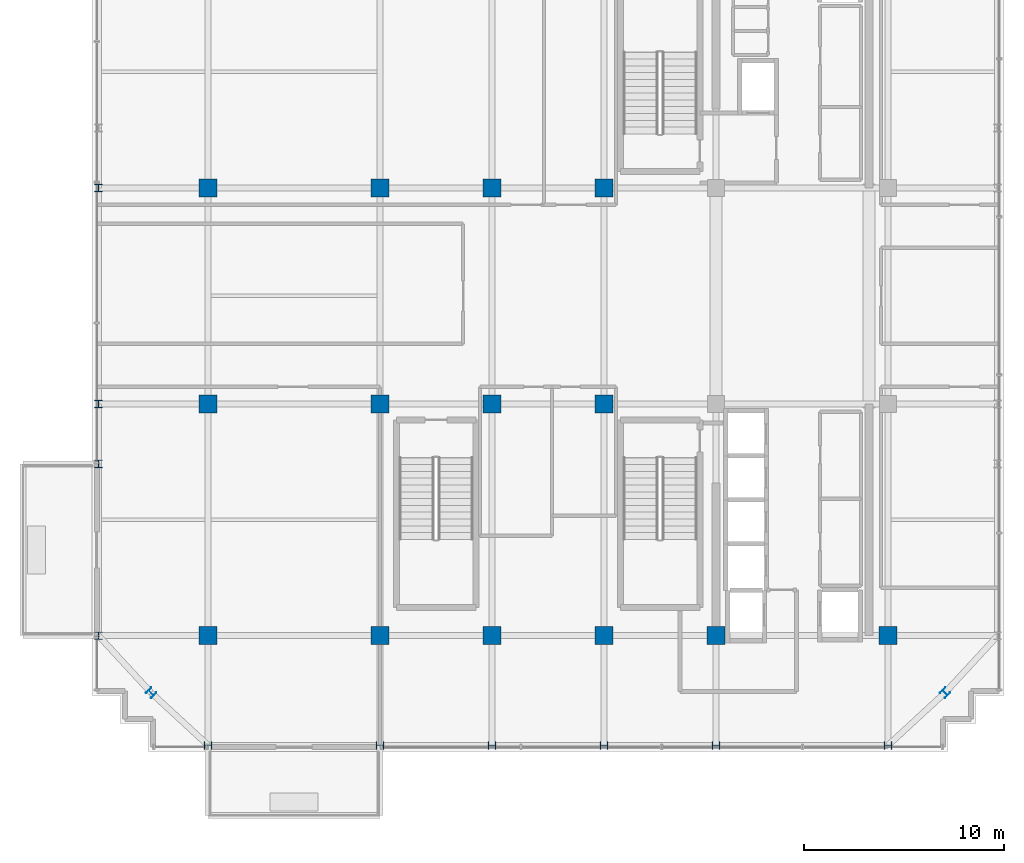
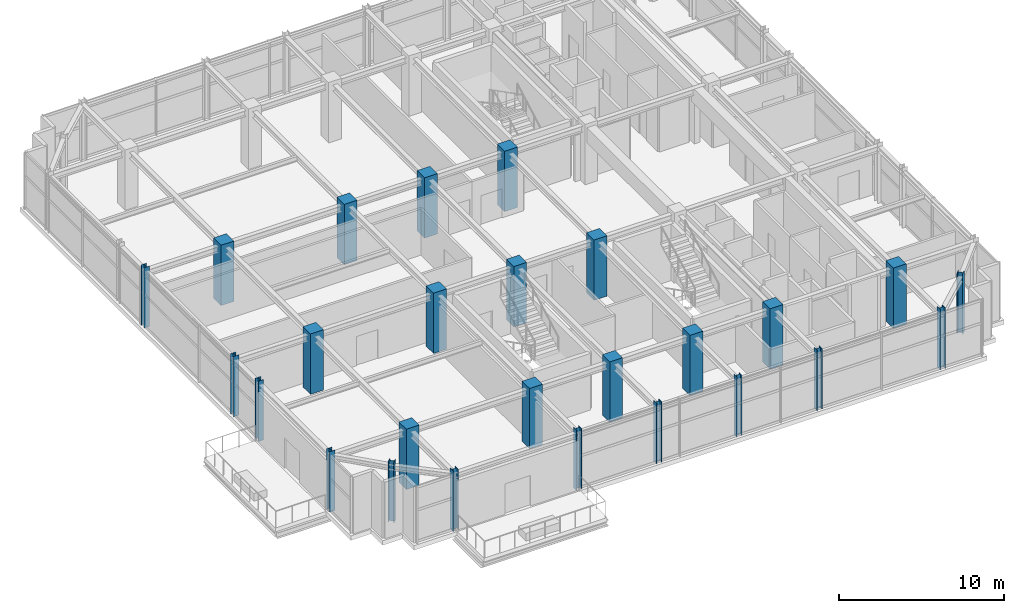
# One storey, part 1 of 25: 26 columns.
"""IFC4 building model written with IfcOpenShell, lengths in metres."""

from ifc_helpers import new_model, si_unit, direction, frame, origin, origin_2d, place, context, subcontext, project, spatial, rectangle, i_section, extrude, source, transform, mapped, material, material_profile, profile_set, type_object, element, save


model = new_model("IFC4")

# Units and contexts
model_context = context("Model", 3, precision=1e-05, world=origin(), true_north=direction((0.0, 1.0)))
body_context = subcontext(model_context, "Body", "Model", "MODEL_VIEW")
ifc_project = project(units=[si_unit("LENGTHUNIT", "METRE"), si_unit("AREAUNIT", "SQUARE_METRE"), si_unit("VOLUMEUNIT", "CUBIC_METRE"), si_unit("PLANEANGLEUNIT", "RADIAN"), si_unit("MASSUNIT", "GRAM", prefix="KILO")], contexts=[model_context])

# Site, building, storey
site_placement = place(None, origin())
site = spatial("IfcSite", under=ifc_project, at=site_placement, CompositionType="ELEMENT")
building_placement = place(site_placement, origin())
building = spatial("IfcBuilding", under=site, at=building_placement, Name="Nahalor Promenade Grand Hotel", CompositionType="ELEMENT")
storey_placement = place(building_placement, frame((0.0, 0.0, 338.550048828125)))
storey = spatial("IfcBuildingStorey", under=building, at=storey_placement, Name="L87", CompositionType="ELEMENT", Elevation=338.550048828125)

# Columns
ifc_material_1 = material(Name="Concrete B-50 (C40/50)", Category="concrete")
ifc_material_profile_1 = material_profile(ifc_material_1, rectangle(XDim=0.9, YDim=0.9, at=origin_2d()), Name="RC 900x900")
ifc_profile_set_1 = profile_set([ifc_material_profile_1], Name="Concrete B-50 (C40/50)")
column_type_1 = type_object("IfcColumnType", Name="Col-RC-900", PredefinedType="COLUMN", material=ifc_profile_set_1)
shared_shape_1 = source(origin(), body_context, "Body", "SweptSolid", [
    extrude(rectangle(XDim=0.9, YDim=0.9, at=origin_2d()), origin(), (0.0, 0.0, 1.0), 4.454833984375),
])
for number, where, z_axis, x_axis, name in (
    (1, (-17.0, -17.0, 0.0), (0.0, 0.0, 1.0), (1.0, 0.0, 0.0), "COL-L87-I00"),
    (2, (-17.0, -5.39990234375, 0.0), (0.0, 0.0, 1.0), (1.0, 0.0, 0.0), "COL-L87-I01"),
    (3, (-17.0, 5.39990234375, 0.0), (0.0, 0.0, 1.0), (1.0, 0.0, 0.0), "COL-L87-I02"),
    (4, (-8.39990234375, -17.0, 0.0), (0.0, 0.0, 1.0), (1.0, 0.0, 0.0), "COL-L87-I10"),
    (5, (-8.39990234375, -5.39990234375, 0.0), (0.0, 0.0, 1.0), (1.0, 0.0, 0.0), "COL-L87-I11"),
    (6, (-8.39990234375, 5.39990234375, 0.0), (0.0, 0.0, 1.0), (1.0, 0.0, 0.0), "COL-L87-I12"),
    (7, (-2.800048828125, -17.0, 0.0), (0.0, 0.0, 1.0), (1.0, 0.0, 0.0), "COL-L87-I20"),
    (8, (-2.800048828125, -5.39990234375, 0.0), (0.0, 0.0, 1.0), (1.0, 0.0, 0.0), "COL-L87-I21"),
    (9, (-2.800048828125, 5.39990234375, 0.0), (0.0, 0.0, 1.0), (1.0, 0.0, 0.0), "COL-L87-I22"),
    (10, (2.800048828125, -17.0, 0.0), (0.0, 0.0, 1.0), (1.0, 0.0, 0.0), "COL-L87-I30"),
    (11, (2.800048828125, -5.39990234375, 0.0), (0.0, 0.0, 1.0), (1.0, 0.0, 0.0), "COL-L87-I31"),
    (12, (2.800048828125, 5.39990234375, 0.0), (0.0, 0.0, 1.0), (1.0, 0.0, 0.0), "COL-L87-I32"),
    (13, (8.39990234375, -17.0, 0.0), (0.0, 0.0, 1.0), (1.0, 0.0, 0.0), "COL-L87-I40"),
    (14, (17.0, -17.0, 0.0), (0.0, 0.0, 1.0), (1.0, 0.0, 0.0), "COL-L87-I50"),
):
    element("IfcColumn", number, at=place(storey_placement, frame(where, z_axis=z_axis, x_axis=x_axis)), inside=storey, type_object=column_type_1, Name=name, PredefinedType="COLUMN", context=body_context, shape_type="MappedRepresentation", body=[
        mapped(shared_shape_1, transform((0.0, 0.0, 0.0), scale=1.0)),
    ])
ifc_material_2 = material(Name="Steel S355JR", Category="steel")
ifc_material_profile_2 = material_profile(ifc_material_2, i_section(OverallWidth=0.374, OverallDepth=0.374, WebThickness=0.0144, FlangeThickness=0.0229, at=origin_2d()), Name="HD 360x262")
ifc_profile_set_2 = profile_set([ifc_material_profile_2], Name="Steel S355JR")
column_type_2 = type_object("IfcColumnType", Name="Col-Steel-HD262", PredefinedType="COLUMN", material=ifc_profile_set_2)
shared_shape_2 = source(origin(), body_context, "Body", "SweptSolid", [
    extrude(i_section(OverallWidth=0.374, OverallDepth=0.374, WebThickness=0.0144, FlangeThickness=0.0229, at=origin_2d()), origin(), (0.0, 0.0, 1.0), 4.454833984375),
])
for number, where, z_axis, x_axis, name in (
    (15, (-22.47998046875, -17.0, 0.0), (0.0, 0.0, 1.0), (1.0, 0.0, 0.0), "COL-L87-PW-W0"),
    (16, (-22.47998046875, -8.39990234375, 0.0), (0.0, 0.0, 1.0), (1.0, 0.0, 0.0), "COL-L87-PW-W1"),
    (17, (-22.47998046875, -5.39990234375, 0.0), (0.0, 0.0, 1.0), (1.0, 0.0, 0.0), "COL-L87-PW-W2"),
    (18, (-22.47998046875, 5.39990234375, 0.0), (0.0, 0.0, 1.0), (1.0, 0.0, 0.0), "COL-L87-PW-W3"),
    (19, (-17.0, -22.47998046875, 0.0), (0.0, 0.0, 1.0), (0.0, 1.0, 0.0), "COL-L87-PN-S0"),
    (20, (-8.39990234375, -22.47998046875, 0.0), (0.0, 0.0, 1.0), (0.0, 1.0, 0.0), "COL-L87-PN-S1"),
    (21, (-2.800048828125, -22.47998046875, 0.0), (0.0, 0.0, 1.0), (0.0, 1.0, 0.0), "COL-L87-PN-S2"),
    (22, (2.800048828125, -22.47998046875, 0.0), (0.0, 0.0, 1.0), (0.0, 1.0, 0.0), "COL-L87-PN-S3"),
    (23, (8.39990234375, -22.47998046875, 0.0), (0.0, 0.0, 1.0), (0.0, 1.0, 0.0), "COL-L87-PN-S4"),
    (24, (17.0, -22.47998046875, 0.0), (0.0, 0.0, 1.0), (0.0, 1.0, 0.0), "COL-L87-PN-S5"),
    (25, (-19.85009765625, -19.85009765625, 0.0), (0.0, 0.0, 1.0), (0.707106781187, 0.707106781187, 0.0), "COL-L87-CRN-SW"),
    (26, (19.85009765625, -19.85009765625, 0.0), (0.0, 0.0, 1.0), (0.707106781187, 0.707106781187, 0.0), "COL-L87-CRN-SE"),
):
    element("IfcColumn", number, at=place(storey_placement, frame(where, z_axis=z_axis, x_axis=x_axis)), inside=storey, type_object=column_type_2, Name=name, PredefinedType="COLUMN", context=body_context, shape_type="MappedRepresentation", body=[
        mapped(shared_shape_2, transform((0.0, 0.0, 0.0), scale=1.0)),
    ])

save(model, "model.ifc")
